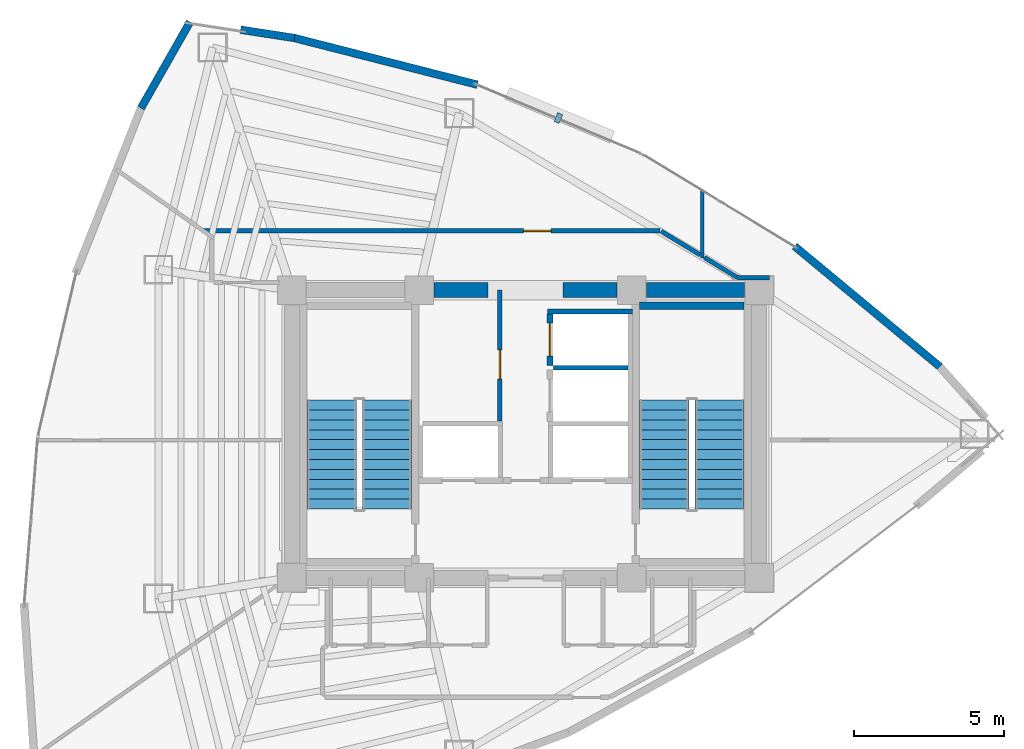
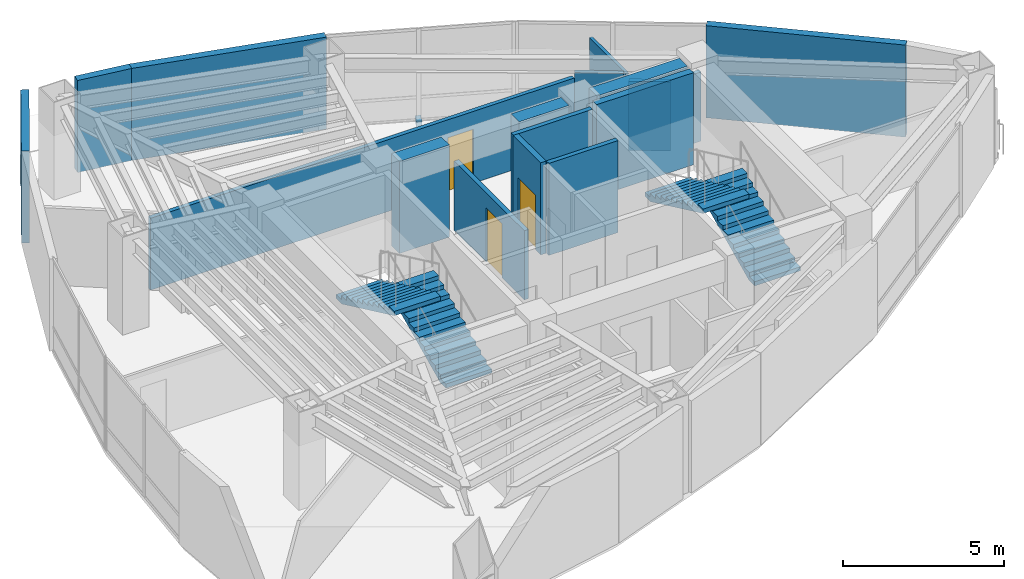
# One storey, part 13 of 15: 17 walls, 4 stair flights, 3 doors, 1 discrete accessory, 3 openings, 2 elements without a shape of their own.
"""IFC4 building model written with IfcOpenShell, lengths in metres."""

import ifcopenshell
import ifcopenshell.guid

model = None  # the IFC model being written
_history = None  # IfcOwnerHistory: only IFC2X3 demands one
_inside = {}  # id of a spatial element -> (the spatial element, [elements in it])
_under = {}  # id of a project, library or spatial element -> (it, [spatial elements below it])
_declared = {}  # id of a project -> (the project, [libraries it declares])
_typed = {}  # id of a type object -> (the type object, [elements of that type])
_made_of = {}  # id of a material, layer set ... -> (it, [elements and type objects made of it])


def new_model(schema):
    """Start an empty IFC model of exactly this schema.

    Asked for "IFC4X3", IfcOpenShell would pick the latest addendum, in which some entities
    have other attributes; the version numbers below select the first issue.
    IFC2X3 requires an IfcOwnerHistory on every rooted entity: one is made here for all.
    """
    global model, _history
    if schema == "IFC4X3":
        model = ifcopenshell.file(schema_version=(4, 3, 0, 0))
    else:
        model = ifcopenshell.file(schema=schema)
    _inside.clear()
    _under.clear()
    _declared.clear()
    _typed.clear()
    _made_of.clear()
    _history = None
    if model.schema == "IFC2X3":
        org = make("IfcOrganization", Name="unknown")
        user = make(
            "IfcPersonAndOrganization",
            ThePerson=make("IfcPerson", FamilyName="unknown"),
            TheOrganization=org,
        )
        app = make(
            "IfcApplication",
            ApplicationDeveloper=org,
            Version="unknown",
            ApplicationFullName="unknown",
            ApplicationIdentifier="unknown",
        )
        _history = make(
            "IfcOwnerHistory",
            OwningUser=user,
            OwningApplication=app,
            ChangeAction="ADDED",
            CreationDate=0,
        )
    return model


def make(cls, **values):
    """One entity of the class cls with the attributes given. An attribute that is None is left unset."""
    return model.create_entity(
        cls, **{name: value for name, value in values.items() if value is not None}
    )


def rooted(cls, **values):
    """An entity with a GlobalId (a new one), such as an element, a storey or a relation."""
    return make(cls, GlobalId=ifcopenshell.guid.new(), OwnerHistory=_history, **values)


def si_unit(unit_type, name, prefix=None):
    """IfcSIUnit, for example si_unit("LENGTHUNIT", "METRE", prefix="MILLI")."""
    return make("IfcSIUnit", UnitType=unit_type, Prefix=prefix, Name=name)


def assignment(units):
    """IfcUnitAssignment: the units of a project."""
    return None if units is None else make("IfcUnitAssignment", Units=units)


def point(xyz):
    """IfcCartesianPoint."""
    return None if xyz is None else make("IfcCartesianPoint", Coordinates=xyz)


def direction(xyz):
    """IfcDirection."""
    return None if xyz is None else make("IfcDirection", DirectionRatios=xyz)


def frame(location, z_axis=None, x_axis=None):
    """IfcAxis2Placement3D, a coordinate frame: its origin and axes. An axis left out is left unset."""
    return make(
        "IfcAxis2Placement3D",
        Location=point(location),
        Axis=direction(z_axis),
        RefDirection=direction(x_axis),
    )


def frame_2d(location, x_axis=None):
    """IfcAxis2Placement2D, a coordinate frame in the plane: its origin and x axis."""
    return make(
        "IfcAxis2Placement2D", Location=point(location), RefDirection=direction(x_axis)
    )


def origin():
    """The frame at (0, 0, 0) with its axes left unset."""
    return frame((0.0, 0.0, 0.0))


def origin_2d():
    """The frame at (0, 0) in the plane with its x axis left unset."""
    return frame_2d((0.0, 0.0))


def place(relative_to, where):
    """IfcLocalPlacement: puts the frame where relative to a parent placement (None: the world)."""
    return make(
        "IfcLocalPlacement", PlacementRelTo=relative_to, RelativePlacement=where
    )


def context(
    kind, dimensions, precision=None, world=None, true_north=None, identifier=None
):
    """IfcGeometricRepresentationContext, for example the 3D "Model" context."""
    return make(
        "IfcGeometricRepresentationContext",
        ContextIdentifier=identifier,
        ContextType=kind,
        CoordinateSpaceDimension=dimensions,
        Precision=precision,
        WorldCoordinateSystem=world,
        TrueNorth=true_north,
    )


def subcontext(parent, identifier, kind, view, scale=None):
    """IfcGeometricRepresentationSubContext, for example "Body" below "Model"."""
    return make(
        "IfcGeometricRepresentationSubContext",
        ContextIdentifier=identifier,
        ContextType=kind,
        ParentContext=parent,
        TargetScale=scale,
        TargetView=view,
    )


def project(units=None, contexts=None):
    """IfcProject with its units and contexts."""
    return rooted(
        "IfcProject",
        Name="project",
        RepresentationContexts=contexts,
        UnitsInContext=assignment(units),
    )


def spatial(cls, under=None, at=None, **own):
    """A site, building, storey or space (cls), placed at a placement, below another one or the project."""
    s = rooted(cls, ObjectPlacement=at, **own)
    if under is not None:
        _under.setdefault(under.id(), (under, []))[1].append(s)
    return s


def polyline(points):
    """IfcPolyline through the points."""
    return make("IfcPolyline", Points=[point(p) for p in points])


def profile(cls, at=None, kind="AREA", **sizes):
    """A parametric profile (cls). Its sizes go by their IFC names, for example OverallWidth=200.0."""
    return make(cls, ProfileType=kind, Position=at, **sizes)


def rectangle(**sizes):
    """IfcRectangleProfileDef."""
    return profile("IfcRectangleProfileDef", **sizes)


def outline(outer, holes=None, kind="AREA"):
    """IfcArbitraryClosedProfileDef: a profile drawn as a closed curve; with holes, ...WithVoids."""
    if holes is None:
        return make("IfcArbitraryClosedProfileDef", ProfileType=kind, OuterCurve=outer)
    return make(
        "IfcArbitraryProfileDefWithVoids",
        ProfileType=kind,
        OuterCurve=outer,
        InnerCurves=holes,
    )


def extrude(swept, where, along, depth):
    """IfcExtrudedAreaSolid: the profile swept, set in the frame where, extruded along a direction by depth."""
    return make(
        "IfcExtrudedAreaSolid",
        SweptArea=swept,
        Position=where,
        ExtrudedDirection=direction(along),
        Depth=depth,
    )


def shape(context_of_items, identifier, shape_type, items):
    """IfcShapeRepresentation: the items that make up one representation, for example the "Body"."""
    return make(
        "IfcShapeRepresentation",
        ContextOfItems=context_of_items,
        RepresentationIdentifier=identifier,
        RepresentationType=shape_type,
        Items=items,
    )


def material(Name=None, Category=None):
    """IfcMaterial."""
    return make("IfcMaterial", Name=Name, Category=Category)


def layer(
    of_material, thickness, ventilated=None, Name=None, Category=None, Priority=None
):
    """IfcMaterialLayer: one layer of a wall or slab, of a material (None: an air gap)."""
    return make(
        "IfcMaterialLayer",
        Material=of_material,
        LayerThickness=thickness,
        IsVentilated=ventilated,
        Name=Name,
        Category=Category,
        Priority=Priority,
    )


def layer_set(layers, Name=None):
    """IfcMaterialLayerSet."""
    return make("IfcMaterialLayerSet", MaterialLayers=layers, LayerSetName=Name)


def made_of(thing, what):
    """Note that an element or type object is made of a material, layer set ...; save() writes the relation."""
    if what is not None:
        _made_of.setdefault(what.id(), (what, []))[1].append(thing)
    return thing


def type_object(cls, material=None, **own):
    """A type object (cls), such as IfcWallType, which elements share."""
    return made_of(rooted(cls, **own), material)


def element(
    cls,
    number,
    at=None,
    inside=None,
    cuts=None,
    type_object=None,
    material=None,
    context=None,
    identifier="Body",
    shape_type=None,
    held_by="IfcProductDefinitionShape",
    body=None,
    shapes=None,
    **own,
):
    """One element of the class cls, such as IfcWall. Its Tag is "e" and its number.

    at: its placement. inside: the storey or other place that contains it. cuts: it is an
    opening in that element (IfcRelVoidsElement). A single representation is given by context,
    identifier, shape_type and body (its items); several are given by shapes. held_by: the class
    of the entity that holds the representations. save() writes the other relations.
    """
    e = rooted(cls, Tag="e%d" % number, ObjectPlacement=at, **own)
    if body is not None:
        shapes = [shape(context, identifier, shape_type, body)]
    if shapes is not None:
        e.Representation = make(held_by, Representations=shapes)
    if inside is not None:
        _inside.setdefault(inside.id(), (inside, []))[1].append(e)
    if cuts is not None:
        rooted(
            "IfcRelVoidsElement", RelatingBuildingElement=cuts, RelatedOpeningElement=e
        )
    if type_object is not None:
        _typed.setdefault(type_object.id(), (type_object, []))[1].append(e)
    return made_of(e, material)


def fill(opening, filler):
    """IfcRelFillsElement: the door or window that sits in an opening."""
    return rooted(
        "IfcRelFillsElement",
        RelatingOpeningElement=opening,
        RelatedBuildingElement=filler,
    )


def aggregate(whole, parts):
    """IfcRelAggregates: a whole, such as a stair, and the parts it consists of."""
    return rooted("IfcRelAggregates", RelatingObject=whole, RelatedObjects=parts)


def save(model, path):
    """Write the relations noted so far, then the file.

    IfcRelAggregates (storeys below a building ...), IfcRelContainedInSpatialStructure (elements
    in a storey), IfcRelDefinesByType, IfcRelAssociatesMaterial and IfcRelDeclares: one each for
    every whole, place, type object, material and project.
    """
    for whole, parts in _under.values():
        aggregate(whole, parts)
    for where, things in _inside.values():
        rooted(
            "IfcRelContainedInSpatialStructure",
            RelatedElements=things,
            RelatingStructure=where,
        )
    for kind, things in _typed.values():
        rooted("IfcRelDefinesByType", RelatedObjects=things, RelatingType=kind)
    for what, things in _made_of.values():
        rooted("IfcRelAssociatesMaterial", RelatedObjects=things, RelatingMaterial=what)
    for by, libraries in _declared.values():
        rooted("IfcRelDeclares", RelatingContext=by, RelatedDefinitions=libraries)
    model.write(path)


model = new_model("IFC4")

# Units and contexts
model_context = context("Model", 3, precision=1e-05, world=origin(), true_north=direction((0.0, 1.0)))
body_context = subcontext(model_context, "Body", "Model", "MODEL_VIEW")
ifc_project = project(units=[si_unit("LENGTHUNIT", "METRE"), si_unit("AREAUNIT", "SQUARE_METRE"), si_unit("VOLUMEUNIT", "CUBIC_METRE"), si_unit("PLANEANGLEUNIT", "RADIAN"), si_unit("MASSUNIT", "GRAM", prefix="KILO")], contexts=[model_context])

# Site, building, storey
site_placement = place(None, origin())
site = spatial("IfcSite", under=ifc_project, at=site_placement, CompositionType="ELEMENT")
building_placement = place(site_placement, origin())
building = spatial("IfcBuilding", under=site, at=building_placement, Name="Menara Vayukalpa", CompositionType="ELEMENT")
storey_placement = place(building_placement, frame((0.0, 0.0, 176.639892578125)))
storey = spatial("IfcBuildingStorey", under=building, at=storey_placement, Name="L44", CompositionType="ELEMENT", Elevation=176.639892578125)

# Walls
ifc_material_1 = material(Name="Concrete C60/75", Category="concrete")
ifc_layer_1 = layer(ifc_material_1, 0.5)
ifc_layer_set_1 = layer_set([ifc_layer_1], Name="Concrete C60/75")
wall_type_1 = type_object("IfcWallType", Name="WAL-CW500", PredefinedType="SHEAR", material=ifc_layer_set_1)
wall_1_placement = place(storey_placement, frame((22.544921875, 26.800048828125, 0.0), z_axis=(0.0, 0.0, 1.0), x_axis=(1.0, 0.0, 0.0)))
element("IfcWall", 1, at=wall_1_placement, inside=storey, type_object=wall_type_1, Name="L44 Buttressed Core Shear Wall CWN2", PredefinedType="SHEAR", context=body_context, shape_type="SweptSolid", body=[
    extrude(rectangle(XDim=1.80517578125, YDim=0.5, at=frame_2d((0.902587890625, 0.0))), origin(), (0.0, 0.0, 1.0), 3.5),
])
wall_2_placement = place(storey_placement, frame((26.85009765625, 26.800048828125, 0.0), z_axis=(0.0, 0.0, 1.0), x_axis=(1.0, 0.0, 0.0)))
element("IfcWall", 2, at=wall_2_placement, inside=storey, type_object=wall_type_1, Name="L44 Buttressed Core Shear Wall CWN3", PredefinedType="SHEAR", context=body_context, shape_type="SweptSolid", body=[
    extrude(rectangle(XDim=1.804931640625, YDim=0.5, at=frame_2d((0.90234375, 0.0))), origin(), (0.0, 0.0, 1.0), 3.5),
])
wall_3_placement = place(storey_placement, frame((29.64501953125, 26.800048828125, 0.0), z_axis=(0.0, 0.0, 1.0), x_axis=(1.0, 0.0, 0.0)))
element("IfcWall", 3, at=wall_3_placement, inside=storey, type_object=wall_type_1, Name="L44 Buttressed Core Shear Wall CWN4", PredefinedType="SHEAR", context=body_context, shape_type="SweptSolid", body=[
    extrude(rectangle(XDim=3.260009765625, YDim=0.5, at=frame_2d((1.6298828125, 0.0))), origin(), (0.0, 0.0, 1.0), 3.5),
])
ifc_material_2 = material(Name="Insulated Precast Concrete C40/50", Category="concrete")
ifc_layer_2 = layer(ifc_material_2, 0.260009765625)
ifc_layer_set_2 = layer_set([ifc_layer_2], Name="Insulated Precast Concrete C40/50")
wall_type_2 = type_object("IfcWallType", Name="WAL-EXT260", PredefinedType="PARTITIONING", material=ifc_layer_set_2)
wall_4_placement = place(storey_placement, frame((34.58251953125, 28.26953125, 0.0), z_axis=(0.0, 0.0, 1.0), x_axis=(0.769770017655, -0.638321329676, 0.0)))
element("IfcWall", 4, at=wall_4_placement, inside=storey, type_object=wall_type_2, Name="L44 Perimeter Terracotta Pier Wall 03", PredefinedType="PARTITIONING", context=body_context, shape_type="SweptSolid", body=[
    extrude(rectangle(XDim=6.309326171875, YDim=0.260009765625, at=frame_2d((3.15478515625, 0.0))), origin(), (0.0, 0.0, 1.0), 3.5),
])
wall_5_placement = place(storey_placement, frame((17.8759765625, 35.22216796875, 0.0), z_axis=(0.0, 0.0, 1.0), x_axis=(0.968976240439, -0.247153890246, 0.0)))
element("IfcWall", 5, at=wall_5_placement, inside=storey, type_object=wall_type_2, Name="L44 Perimeter Terracotta Pier Wall 06", PredefinedType="PARTITIONING", context=body_context, shape_type="SweptSolid", body=[
    extrude(rectangle(XDim=6.31494140625, YDim=0.260009765625, at=frame_2d((3.157470703125, 0.0))), origin(), (0.0, 0.0, 1.0), 3.5),
])
wall_6_placement = place(storey_placement, frame((16.0908203125, 35.49609375, 0.0), z_axis=(0.0, 0.0, 1.0), x_axis=(0.988377906791, -0.15201681936, 0.0)))
element("IfcWall", 6, at=wall_6_placement, inside=storey, type_object=wall_type_2, Name="L44 Perimeter Terracotta Pier Wall 07", PredefinedType="PARTITIONING", context=body_context, shape_type="SweptSolid", body=[
    extrude(rectangle(XDim=1.818115234375, YDim=0.260009765625, at=frame_2d((0.9091796875, 0.0))), origin(), (0.0, 0.0, 1.0), 3.5),
])
wall_7_placement = place(storey_placement, frame((12.76123046875, 32.877685546875, 0.0), z_axis=(0.0, 0.0, 1.0), x_axis=(0.494884228667, 0.86895891745, 0.0)))
element("IfcWall", 7, at=wall_7_placement, inside=storey, type_object=wall_type_2, Name="L44 Perimeter Terracotta Pier Wall 08", PredefinedType="PARTITIONING", context=body_context, shape_type="SweptSolid", body=[
    extrude(rectangle(XDim=3.312255859375, YDim=0.260009765625, at=frame_2d((1.65625, 0.0))), origin(), (0.0, 0.0, 1.0), 3.5),
])
ifc_material_3 = material(Name="Lightweight Concrete Blockwork C16/20", Category="masonry")
ifc_layer_3 = layer(ifc_material_3, 0.159912109375)
ifc_layer_set_3 = layer_set([ifc_layer_3], Name="Lightweight Concrete Blockwork C16/20")
wall_type_3 = type_object("IfcWallType", Name="WAL-FR150", PredefinedType="PARTITIONING", material=ifc_layer_set_3)
wall_8_placement = place(storey_placement, frame((26.530029296875, 24.215087890625, 0.0), z_axis=(0.0, 0.0, 1.0), x_axis=(1.0, 0.0, 0.0)))
element("IfcWall", 8, at=wall_8_placement, inside=storey, type_object=wall_type_3, Name="L44 Interior Partition IW-L44-SHM-E32", PredefinedType="PARTITIONING", context=body_context, shape_type="SweptSolid", body=[
    extrude(rectangle(XDim=2.489990234375, YDim=0.159912109375, at=frame_2d((1.2451171875, 0.0))), origin(), (0.0, 0.0, 1.0), 3.5),
])
wall_9_placement = place(storey_placement, frame((26.340087890625, 26.0849609375, 0.0), z_axis=(0.0, 0.0, 1.0), x_axis=(1.0, 0.0, 0.0)))
element("IfcWall", 9, at=wall_9_placement, inside=storey, type_object=wall_type_3, Name="L44 Interior Partition IW-L44-SHM-E2N", PredefinedType="PARTITIONING", context=body_context, shape_type="SweptSolid", body=[
    extrude(rectangle(XDim=2.829833984375, YDim=0.159912109375, at=frame_2d((1.4150390625, 0.0))), origin(), (0.0, 0.0, 1.0), 3.5),
])

# Wall, opening, door
wall_10_placement = place(storey_placement, frame((24.739990234375, 22.429931640625, 0.0), z_axis=(0.0, 0.0, 1.0), x_axis=(0.0, 1.0, 0.0)))
wall_10 = element("IfcWall", 10, at=wall_10_placement, inside=storey, type_object=wall_type_3, Name="L44 Interior Partition IW-L44-LV7W", PredefinedType="PARTITIONING", context=body_context, shape_type="SweptSolid", body=[
    extrude(rectangle(XDim=4.3701171875, YDim=0.159912109375, at=frame_2d((2.18505859375, 0.0))), origin(), (0.0, 0.0, 1.0), 2.630126953125),
])
opening_1_placement = place(wall_10_placement, frame((1.39990234375, 0.0, 0.0)))
opening_1 = element("IfcOpeningElement", 11, at=opening_1_placement, cuts=wall_10, Name="Opening ID3", PredefinedType="OPENING", context=body_context, shape_type="SweptSolid", body=[
    extrude(rectangle(XDim=0.97998046875, YDim=2.06005859375, at=frame_2d((0.489990234375, 1.030029296875))), frame((0.0, 0.08984375, 0.0), z_axis=(0.0, -1.0, 0.0), x_axis=(1.0, 0.0, 0.0)), (0.0, 0.0, 1.0), 0.179931640625),
])
ifc_material_4 = material(Name="Fire-Rated Powder-Coated Steel Door", Category="steel")
door_type_1 = type_object("IfcDoorType", Name="DR-FD60", OperationType="NOTDEFINED", PredefinedType="DOOR", material=ifc_material_4)
door_1_placement = place(opening_1_placement, origin())
door_1 = element("IfcDoor", 12, at=door_1_placement, inside=storey, type_object=door_type_1, Name="L44 Interior Door DR-L44-LV7W", OperationType="SINGLE_SWING_LEFT", OverallHeight=2.06005859375, OverallWidth=0.97998046875, PredefinedType="DOOR", context=body_context, shape_type="SweptSolid", body=[
    extrude(rectangle(XDim=0.97998046875, YDim=2.06005859375, at=frame_2d((0.489990234375, 1.030029296875))), frame((0.0, 0.02490234375, 0.0), z_axis=(0.0, -1.0, 0.0), x_axis=(1.0, 0.0, 0.0)), (0.0, 0.0, 1.0), 0.050048828125),
])
fill(opening_1, door_1)

ifc_material_5 = material(Name="Lightweight Concrete Blockwork C16/20", Category="masonry")
ifc_layer_4 = layer(ifc_material_5, 0.199951171875)
ifc_layer_set_4 = layer_set([ifc_layer_4], Name="Lightweight Concrete Blockwork C16/20")
wall_type_4 = type_object("IfcWallType", Name="WAL-FR200", PredefinedType="PARTITIONING", material=ifc_layer_set_4)
wall_11_placement = place(storey_placement, frame((26.419921875, 24.2900390625, 0.0), z_axis=(0.0, 0.0, 1.0), x_axis=(0.0, 1.0, 0.0)))
wall_11 = element("IfcWall", 13, at=wall_11_placement, inside=storey, type_object=wall_type_4, Name="L44 Interior Partition IW-L44-SH-E2", PredefinedType="PARTITIONING", context=body_context, shape_type="SweptSolid", body=[
    extrude(rectangle(XDim=1.719970703125, YDim=0.199951171875, at=frame_2d((0.85986328125, 0.0))), origin(), (0.0, 0.0, 1.0), 3.5),
])
opening_2_placement = place(wall_11_placement, frame((0.31005859375, 0.0, 0.0)))
opening_2 = element("IfcOpeningElement", 14, at=opening_2_placement, cuts=wall_11, Name="Opening LD1", PredefinedType="OPENING", context=body_context, shape_type="SweptSolid", body=[
    extrude(rectangle(XDim=1.10009765625, YDim=2.080078125, at=frame_2d((0.550048828125, 1.0400390625))), frame((0.0, 0.10986328125, 0.0), z_axis=(0.0, -1.0, 0.0), x_axis=(1.0, 0.0, 0.0)), (0.0, 0.0, 1.0), 0.219970703125),
])
ifc_material_6 = material(Name="Brushed Stainless Steel 316 Lift Door", Category="steel")
door_type_2 = type_object("IfcDoorType", Name="DR-LD110", OperationType="NOTDEFINED", PredefinedType="DOOR", material=ifc_material_6)
door_2_placement = place(opening_2_placement, origin())
door_2 = element("IfcDoor", 15, at=door_2_placement, inside=storey, type_object=door_type_2, Name="L44 Interior Door DR-L44-LD-E2", OperationType="DOUBLE_DOOR_SLIDING", OverallHeight=2.080078125, OverallWidth=1.10009765625, PredefinedType="DOOR", context=body_context, shape_type="SweptSolid", body=[
    extrude(rectangle(XDim=1.10009765625, YDim=2.080078125, at=frame_2d((0.550048828125, 1.0400390625))), frame((0.0, 0.02490234375, 0.0), z_axis=(0.0, -1.0, 0.0), x_axis=(1.0, 0.0, 0.0)), (0.0, 0.0, 1.0), 0.050048828125),
])
fill(opening_2, door_2)

# Walls
ifc_material_7 = material(Name="Acoustic Mineral Stud Partition", Category="masonry")
ifc_layer_5 = layer(ifc_material_7, 0.110107421875)
ifc_layer_set_5 = layer_set([ifc_layer_5], Name="Acoustic Mineral Stud Partition")
wall_type_5 = type_object("IfcWallType", Name="WAL-PT110", PredefinedType="PARTITIONING", material=ifc_layer_set_5)
wall_12_placement = place(storey_placement, frame((31.5, 27.876708984375, 0.0), z_axis=(0.0, 0.0, 1.0), x_axis=(0.0, 1.0, 0.0)))
element("IfcWall", 16, at=wall_12_placement, inside=storey, type_object=wall_type_5, Name="L44 Interior Partition IW-L44-RDIV01", PredefinedType="PARTITIONING", context=body_context, shape_type="SweptSolid", body=[
    extrude(rectangle(XDim=2.25830078125, YDim=0.110107421875, at=frame_2d((1.129150390625, 0.0))), origin(), (0.0, 0.0, 1.0), 2.93017578125),
])
ifc_material_8 = material(Name="Gypsum Drywall Acoustic Stud Assembly", Category="masonry")
ifc_layer_6 = layer(ifc_material_8, 0.14501953125)
ifc_layer_set_6 = layer_set([ifc_layer_6], Name="Gypsum Drywall Acoustic Stud Assembly")
wall_type_6 = type_object("IfcWallType", Name="WAL-PT150", PredefinedType="PARTITIONING", material=ifc_layer_set_6)
wall_13_placement = place(storey_placement, frame((33.739990234375, 27.219970703125, 0.0), z_axis=(0.0, 0.0, 1.0), x_axis=(-1.0, 0.0, 0.0)))
element("IfcWall", 17, at=wall_13_placement, inside=storey, type_object=wall_type_6, Name="L44 Interior Partition IW-L44-CRM03-1", PredefinedType="PARTITIONING", context=body_context, shape_type="SweptSolid", body=[
    extrude(rectangle(XDim=1.0625, YDim=0.14501953125, at=frame_2d((0.53125, 0.0))), origin(), (0.0, 0.0, 1.0), 2.630126953125),
])
wall_14_placement = place(storey_placement, frame((32.677490234375, 27.219970703125, 0.0), z_axis=(0.0, 0.0, 1.0), x_axis=(-0.854620308946, 0.51925343286, 0.0)))
element("IfcWall", 18, at=wall_14_placement, inside=storey, type_object=wall_type_6, Name="L44 Interior Partition IW-L44-CRM03-2", PredefinedType="PARTITIONING", context=body_context, shape_type="SweptSolid", body=[
    extrude(rectangle(XDim=1.2958984375, YDim=0.14501953125, at=frame_2d((0.64794921875, 0.0))), origin(), (0.0, 0.0, 1.0), 2.630126953125),
])
wall_15_placement = place(storey_placement, frame((31.429931640625, 27.977783203125, 0.0), z_axis=(0.0, 0.0, 1.0), x_axis=(-0.854650301125, 0.519204066612, 0.0)))
element("IfcWall", 19, at=wall_15_placement, inside=storey, type_object=wall_type_6, Name="L44 Interior Partition IW-L44-CRM04-1", PredefinedType="PARTITIONING", context=body_context, shape_type="SweptSolid", body=[
    extrude(rectangle(XDim=1.5224609375, YDim=0.14501953125, at=frame_2d((0.76123046875, 0.0))), origin(), (0.0, 0.0, 1.0), 2.93017578125),
])

# Wall, opening, door
wall_16_placement = place(storey_placement, frame((30.087158203125, 28.780029296875, 0.0), z_axis=(0.0, 0.0, 1.0), x_axis=(-1.0, 0.0, 0.0)))
wall_16 = element("IfcWall", 20, at=wall_16_placement, inside=storey, type_object=wall_type_6, Name="L44 Interior Partition IW-L44-CRM04-2", PredefinedType="PARTITIONING", context=body_context, shape_type="SweptSolid", body=[
    extrude(rectangle(XDim=15.235595703125, YDim=0.14501953125, at=frame_2d((7.61767578125, 0.0))), origin(), (0.0, 0.0, 1.0), 2.730224609375),
])
opening_3_placement = place(wall_16_placement, frame((3.6318359375, 0.0, 0.0)))
opening_3 = element("IfcOpeningElement", 21, at=opening_3_placement, cuts=wall_16, Name="Opening ID6", PredefinedType="OPENING", context=body_context, shape_type="SweptSolid", body=[
    extrude(rectangle(XDim=0.919921875, YDim=2.050048828125, at=frame_2d((0.4599609375, 1.02490234375))), frame((0.0, 0.08251953125, 0.0), z_axis=(0.0, -1.0, 0.0), x_axis=(1.0, 0.0, 0.0)), (0.0, 0.0, 1.0), 0.1650390625),
])
ifc_material_9 = material(Name="Acoustic Hardwood Veneer Timber Door", Category="wood")
door_type_3 = type_object("IfcDoorType", Name="DR-INT92", OperationType="NOTDEFINED", PredefinedType="DOOR", material=ifc_material_9)
door_3_placement = place(opening_3_placement, origin())
door_3 = element("IfcDoor", 22, at=door_3_placement, inside=storey, type_object=door_type_3, Name="L44 Interior Door DR-L44-RM04", OperationType="SINGLE_SWING_LEFT", OverallHeight=2.050048828125, OverallWidth=0.919921875, PredefinedType="DOOR", context=body_context, shape_type="SweptSolid", body=[
    extrude(rectangle(XDim=0.919921875, YDim=2.050048828125, at=frame_2d((0.4599609375, 1.02490234375))), frame((0.0, 0.02490234375, 0.0), z_axis=(0.0, -1.0, 0.0), x_axis=(1.0, 0.0, 0.0)), (0.0, 0.0, 1.0), 0.050048828125),
])
fill(opening_3, door_3)

# Wall
ifc_material_10 = material(Name="Concrete C50/60", Category="concrete")
ifc_layer_7 = layer(ifc_material_10, 0.25)
ifc_layer_set_7 = layer_set([ifc_layer_7], Name="Concrete C50/60")
wall_type_7 = type_object("IfcWallType", Name="WAL-SW250", PredefinedType="SHEAR", material=ifc_layer_set_7)
wall_17_placement = place(storey_placement, frame((29.39990234375, 26.27490234375, 0.0), z_axis=(0.0, 0.0, 1.0), x_axis=(1.0, 0.0, 0.0)))
element("IfcWall", 23, at=wall_17_placement, inside=storey, type_object=wall_type_7, Name="L44 ST2 Structural Stair Shaft Wall N", PredefinedType="SHEAR", context=body_context, shape_type="SweptSolid", body=[
    extrude(rectangle(XDim=3.49609375, YDim=0.25, at=frame_2d((1.748046875, 0.0))), origin(), (0.0, 0.0, 1.0), 3.5),
])

# Stair, stair flights
ifc_material_11 = material(Name="Precast Concrete C40/50", Category="concrete")
stair_type = type_object("IfcStairType", Name="STR-T04", PredefinedType="DOUBLE_RETURN_STAIR", material=ifc_material_11)
stair_1_placement = place(storey_placement, origin())
stair_1 = element("IfcStair", 24, at=stair_1_placement, inside=storey, type_object=stair_type, Name="L44 Core Exit Stair ST-1", PredefinedType="DOUBLE_RETURN_STAIR")
ifc_material_12 = material(Name="Precast Concrete C40/50", Category="concrete")
stair_flight_type = type_object("IfcStairFlightType", Name="STF-T04", PredefinedType="STRAIGHT", material=ifc_material_12)
stair_flight_1_placement = place(storey_placement, frame((20.97509765625, 19.5, 0.0), z_axis=(0.0, 0.0, 1.0), x_axis=(0.0, 1.0, 0.0)))
stair_flight_1 = element("IfcStairFlight", 25, at=stair_flight_1_placement, type_object=stair_flight_type, Name="ST-1 flight 1", NumberOfRisers=12, NumberOfTreads=11, PredefinedType="STRAIGHT", RiserHeight=0.155, TreadLength=0.33, context=body_context, shape_type="SweptSolid", body=[
    extrude(outline(polyline([(0.0, 0.0), (0.0, 0.155029296875), (0.330078125, 0.155029296875), (0.330078125, 0.31005859375), (0.659912109375, 0.31005859375), (0.659912109375, 0.465087890625), (0.989990234375, 0.465087890625), (0.989990234375, 0.6201171875), (1.320068359375, 0.6201171875), (1.320068359375, 0.77490234375), (1.64990234375, 0.77490234375), (1.64990234375, 0.929931640625), (1.97998046875, 0.929931640625), (1.97998046875, 1.0849609375), (2.31005859375, 1.0849609375), (2.31005859375, 1.239990234375), (2.639892578125, 1.239990234375), (2.639892578125, 1.39501953125), (2.969970703125, 1.39501953125), (2.969970703125, 1.550048828125), (3.300048828125, 1.550048828125), (3.300048828125, 1.705078125), (3.6298828125, 1.705078125), (3.6298828125, 1.860107421875), (3.6298828125, 1.539306640625), (0.3525390625, 0.0), (0.0, 0.0)])), frame((0.0, 0.824951171875, 0.0), z_axis=(0.0, -1.0, 0.0), x_axis=(1.0, 0.0, 0.0)), (0.0, 0.0, 1.0), 1.64990234375),
])
stair_flight_2_placement = place(storey_placement, frame((19.125, 23.1298828125, 1.860107421875), z_axis=(0.0, 0.0, 1.0), x_axis=(0.0, -1.0, 0.0)))
stair_flight_2 = element("IfcStairFlight", 26, at=stair_flight_2_placement, type_object=stair_flight_type, Name="ST-1 flight 2", NumberOfRisers=12, NumberOfTreads=11, PredefinedType="STRAIGHT", RiserHeight=0.155, TreadLength=0.33, context=body_context, shape_type="SweptSolid", body=[
    extrude(outline(polyline([(0.0, 0.0), (0.0, 0.155029296875), (0.330078125, 0.155029296875), (0.330078125, 0.31005859375), (0.659912109375, 0.31005859375), (0.659912109375, 0.465087890625), (0.989990234375, 0.465087890625), (0.989990234375, 0.6201171875), (1.320068359375, 0.6201171875), (1.320068359375, 0.77490234375), (1.64990234375, 0.77490234375), (1.64990234375, 0.929931640625), (1.97998046875, 0.929931640625), (1.97998046875, 1.0849609375), (2.31005859375, 1.0849609375), (2.31005859375, 1.239990234375), (2.639892578125, 1.239990234375), (2.639892578125, 1.39501953125), (2.969970703125, 1.39501953125), (2.969970703125, 1.550048828125), (3.300048828125, 1.550048828125), (3.300048828125, 1.705078125), (3.6298828125, 1.705078125), (3.6298828125, 1.860107421875), (3.6298828125, 1.539306640625), (0.3525390625, 0.0), (0.0, 0.0)])), frame((0.0, 0.824951171875, 0.0), z_axis=(0.0, -1.0, 0.0), x_axis=(1.0, 0.0, 0.0)), (0.0, 0.0, 1.0), 1.64990234375),
])
aggregate(stair_1, [stair_flight_1, stair_flight_2])

stair_2_placement = place(storey_placement, origin())
stair_2 = element("IfcStair", 27, at=stair_2_placement, inside=storey, type_object=stair_type, Name="L44 Core Exit Stair ST-2", PredefinedType="DOUBLE_RETURN_STAIR")
stair_flight_3_placement = place(storey_placement, frame((32.074951171875, 19.5, 0.0), z_axis=(0.0, 0.0, 1.0), x_axis=(0.0, 1.0, 0.0)))
stair_flight_3 = element("IfcStairFlight", 28, at=stair_flight_3_placement, type_object=stair_flight_type, Name="ST-2 flight 1", NumberOfRisers=12, NumberOfTreads=11, PredefinedType="STRAIGHT", RiserHeight=0.155, TreadLength=0.33, context=body_context, shape_type="SweptSolid", body=[
    extrude(outline(polyline([(0.0, 0.0), (0.0, 0.155029296875), (0.330078125, 0.155029296875), (0.330078125, 0.31005859375), (0.659912109375, 0.31005859375), (0.659912109375, 0.465087890625), (0.989990234375, 0.465087890625), (0.989990234375, 0.6201171875), (1.320068359375, 0.6201171875), (1.320068359375, 0.77490234375), (1.64990234375, 0.77490234375), (1.64990234375, 0.929931640625), (1.97998046875, 0.929931640625), (1.97998046875, 1.0849609375), (2.31005859375, 1.0849609375), (2.31005859375, 1.239990234375), (2.639892578125, 1.239990234375), (2.639892578125, 1.39501953125), (2.969970703125, 1.39501953125), (2.969970703125, 1.550048828125), (3.300048828125, 1.550048828125), (3.300048828125, 1.705078125), (3.6298828125, 1.705078125), (3.6298828125, 1.860107421875), (3.6298828125, 1.539306640625), (0.3525390625, 0.0), (0.0, 0.0)])), frame((0.0, 0.824951171875, 0.0), z_axis=(0.0, -1.0, 0.0), x_axis=(1.0, 0.0, 0.0)), (0.0, 0.0, 1.0), 1.64990234375),
])
stair_flight_4_placement = place(storey_placement, frame((30.22509765625, 23.1298828125, 1.860107421875), z_axis=(0.0, 0.0, 1.0), x_axis=(0.0, -1.0, 0.0)))
stair_flight_4 = element("IfcStairFlight", 29, at=stair_flight_4_placement, type_object=stair_flight_type, Name="ST-2 flight 2", NumberOfRisers=12, NumberOfTreads=11, PredefinedType="STRAIGHT", RiserHeight=0.155, TreadLength=0.33, context=body_context, shape_type="SweptSolid", body=[
    extrude(outline(polyline([(0.0, 0.0), (0.0, 0.155029296875), (0.330078125, 0.155029296875), (0.330078125, 0.31005859375), (0.659912109375, 0.31005859375), (0.659912109375, 0.465087890625), (0.989990234375, 0.465087890625), (0.989990234375, 0.6201171875), (1.320068359375, 0.6201171875), (1.320068359375, 0.77490234375), (1.64990234375, 0.77490234375), (1.64990234375, 0.929931640625), (1.97998046875, 0.929931640625), (1.97998046875, 1.0849609375), (2.31005859375, 1.0849609375), (2.31005859375, 1.239990234375), (2.639892578125, 1.239990234375), (2.639892578125, 1.39501953125), (2.969970703125, 1.39501953125), (2.969970703125, 1.550048828125), (3.300048828125, 1.550048828125), (3.300048828125, 1.705078125), (3.6298828125, 1.705078125), (3.6298828125, 1.860107421875), (3.6298828125, 1.539306640625), (0.3525390625, 0.0), (0.0, 0.0)])), frame((0.0, 0.824951171875, 0.0), z_axis=(0.0, -1.0, 0.0), x_axis=(1.0, 0.0, 0.0)), (0.0, 0.0, 1.0), 1.64990234375),
])
aggregate(stair_2, [stair_flight_3, stair_flight_4])

# Discrete accessory
ifc_material_13 = material(Name="Stainless Steel 316 Sunshade Bracket", Category="steel")
discrete_accessory_type = type_object("IfcDiscreteAccessoryType", Name="ACC-BRK1", PredefinedType="BRACKET", material=ifc_material_13)
discrete_accessory_placement = place(storey_placement, frame((26.69775390625, 32.5458984375, -0.15966796875), z_axis=(0.0, 0.0, 1.0), x_axis=(-0.922538089456, 0.385906042324, 0.0)))
element("IfcDiscreteAccessory", 30, at=discrete_accessory_placement, inside=storey, type_object=discrete_accessory_type, Name="L44 Terracotta Sunshade Bracket 05", PredefinedType="BRACKET", context=body_context, shape_type="SweptSolid", body=[
    extrude(rectangle(XDim=0.179931640625, YDim=0.320068359375, at=origin_2d()), origin(), (0.0, 0.0, 1.0), 0.219970703125),
])

save(model, "model.ifc")
